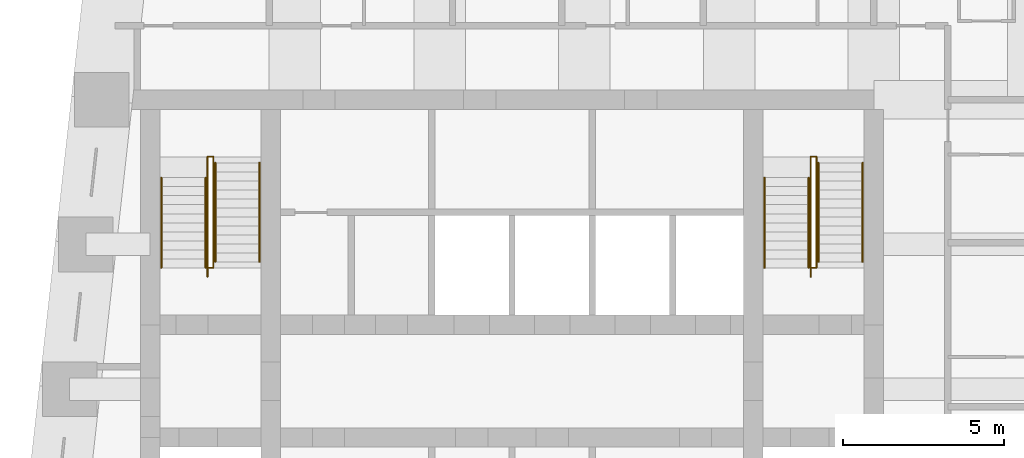
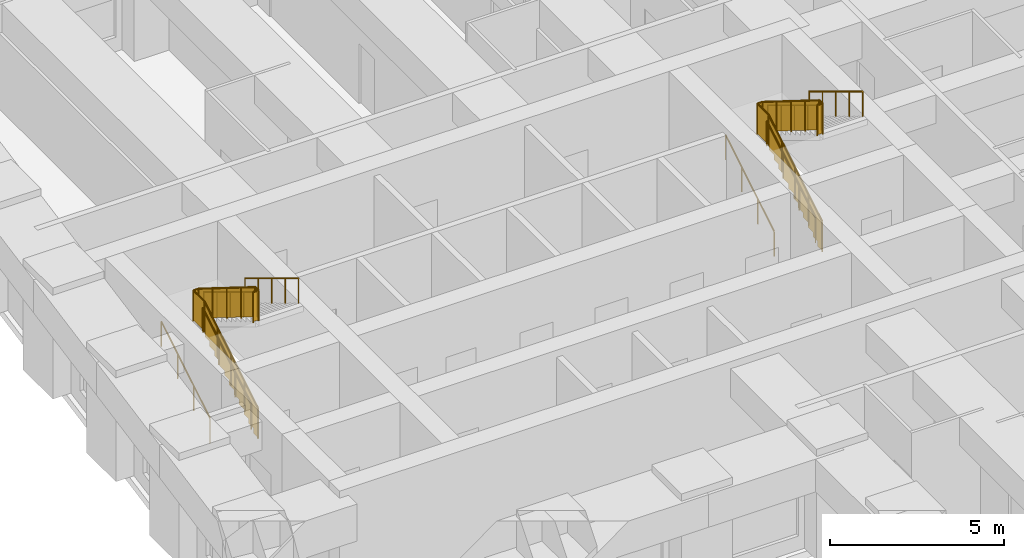
# One storey, part 7 of 7: 12 railings.
"""IFC4 building model written with IfcOpenShell, lengths in metres."""

from ifc_helpers import new_model, si_unit, direction, frame, origin, origin_2d, place, context, subcontext, project, spatial, polyline, circle, outline, extrude, material, type_object, element, save


model = new_model("IFC4")

# Units and contexts
model_context = context("Model", 3, precision=1e-05, world=origin(), true_north=direction((0.0, 1.0)))
body_context = subcontext(model_context, "Body", "Model", "MODEL_VIEW")
ifc_project = project(units=[si_unit("LENGTHUNIT", "METRE"), si_unit("AREAUNIT", "SQUARE_METRE"), si_unit("VOLUMEUNIT", "CUBIC_METRE"), si_unit("PLANEANGLEUNIT", "RADIAN"), si_unit("MASSUNIT", "GRAM", prefix="KILO")], contexts=[model_context])

# Site, building, storey
site_placement = place(None, origin())
site = spatial("IfcSite", under=ifc_project, at=site_placement, CompositionType="ELEMENT")
building_placement = place(site_placement, origin())
building = spatial("IfcBuilding", under=site, at=building_placement, Name="Kilele Tower Hotel", CompositionType="ELEMENT")
storey_placement = place(building_placement, frame((0.0, 0.0, 236.89990234375)))
storey = spatial("IfcBuildingStorey", under=building, at=storey_placement, Name="L61", CompositionType="ELEMENT", Elevation=236.89990234375)

# Railings
ifc_material_1 = material(Name="Steel handrail", Category="steel")
railing_type_1 = type_object("IfcRailingType", Name="Handrail 900", PredefinedType="HANDRAIL", material=ifc_material_1)
for number, where, name in (
    (1, (13.85009765625, 21.77490234375, 0.169677734375), "Handrail ST1 flight 1"),
    (2, (15.22509765625, 21.77490234375, 0.169677734375), "Handrail ST1 flight 1"),
):
    element("IfcRailing", number, at=place(storey_placement, frame(where)), inside=storey, type_object=railing_type_1, Name=name, PredefinedType="HANDRAIL", context=body_context, shape_type="SweptSolid", body=[
        extrude(circle(Radius=0.02490234375, at=origin_2d()), frame((0.0, 0.0, 0.875), z_axis=(0.0, 0.855393119324, 0.517979354234), x_axis=(-1.0, 0.0, 0.0)), (0.0, 0.0, 1.0), 3.2734375),
        extrude(circle(Radius=0.02001953125, at=origin_2d()), origin(), (0.0, 0.0, 1.0), 0.849853515625),
        extrude(circle(Radius=0.02001953125, at=origin_2d()), frame((0.0, 0.933349609375, 0.565185546875)), (0.0, 0.0, 1.0), 0.849853515625),
        extrude(circle(Radius=0.02001953125, at=origin_2d()), frame((0.0, 1.86669921875, 1.13037109375)), (0.0, 0.0, 1.0), 0.849853515625),
        extrude(circle(Radius=0.02001953125, at=origin_2d()), frame((0.0, 2.800048828125, 1.695556640625)), (0.0, 0.0, 1.0), 0.849853515625),
    ])
for number, where, name in (
    (3, (15.52490234375, 25.0400390625, 2.034912109375), "Handrail ST1 flight 2"),
    (4, (16.89990234375, 25.0400390625, 2.034912109375), "Handrail ST1 flight 2"),
):
    element("IfcRailing", number, at=place(storey_placement, frame(where)), inside=storey, type_object=railing_type_1, Name=name, PredefinedType="HANDRAIL", context=body_context, shape_type="SweptSolid", body=[
        extrude(circle(Radius=0.02490234375, at=origin_2d()), frame((0.0, 0.0, 0.875), z_axis=(0.0, -0.855379917629, 0.518001154937), x_axis=(1.0, 0.0, 0.0)), (0.0, 0.0, 1.0), 3.600830078125),
        extrude(circle(Radius=0.02001953125, at=origin_2d()), origin(), (0.0, 0.0, 1.0), 0.849853515625),
        extrude(circle(Radius=0.02001953125, at=origin_2d()), frame((0.0, -0.77001953125, 0.46630859375)), (0.0, 0.0, 1.0), 0.849853515625),
        extrude(circle(Radius=0.02001953125, at=origin_2d()), frame((0.0, -1.5400390625, 0.9326171875)), (0.0, 0.0, 1.0), 0.849853515625),
        extrude(circle(Radius=0.02001953125, at=origin_2d()), frame((0.0, -2.31005859375, 1.39892578125)), (0.0, 0.0, 1.0), 0.849853515625),
        extrude(circle(Radius=0.02001953125, at=origin_2d()), frame((0.0, -3.080078125, 1.865234375)), (0.0, 0.0, 1.0), 0.849853515625),
    ])
for number, where, name in (
    (5, (32.60009765625, 21.77490234375, 0.169677734375), "Handrail ST2 flight 1"),
    (6, (33.97509765625, 21.77490234375, 0.169677734375), "Handrail ST2 flight 1"),
):
    element("IfcRailing", number, at=place(storey_placement, frame(where)), inside=storey, type_object=railing_type_1, Name=name, PredefinedType="HANDRAIL", context=body_context, shape_type="SweptSolid", body=[
        extrude(circle(Radius=0.02490234375, at=origin_2d()), frame((0.0, 0.0, 0.875), z_axis=(0.0, 0.855393119324, 0.517979354234), x_axis=(-1.0, 0.0, 0.0)), (0.0, 0.0, 1.0), 3.2734375),
        extrude(circle(Radius=0.02001953125, at=origin_2d()), origin(), (0.0, 0.0, 1.0), 0.849853515625),
        extrude(circle(Radius=0.02001953125, at=origin_2d()), frame((0.0, 0.933349609375, 0.565185546875)), (0.0, 0.0, 1.0), 0.849853515625),
        extrude(circle(Radius=0.02001953125, at=origin_2d()), frame((0.0, 1.86669921875, 1.13037109375)), (0.0, 0.0, 1.0), 0.849853515625),
        extrude(circle(Radius=0.02001953125, at=origin_2d()), frame((0.0, 2.800048828125, 1.695556640625)), (0.0, 0.0, 1.0), 0.849853515625),
    ])
for number, where, name in (
    (7, (34.27490234375, 25.0400390625, 2.034912109375), "Handrail ST2 flight 2"),
    (8, (35.64990234375, 25.0400390625, 2.034912109375), "Handrail ST2 flight 2"),
):
    element("IfcRailing", number, at=place(storey_placement, frame(where)), inside=storey, type_object=railing_type_1, Name=name, PredefinedType="HANDRAIL", context=body_context, shape_type="SweptSolid", body=[
        extrude(circle(Radius=0.02490234375, at=origin_2d()), frame((0.0, 0.0, 0.875), z_axis=(0.0, -0.855379917629, 0.518001154937), x_axis=(1.0, 0.0, 0.0)), (0.0, 0.0, 1.0), 3.600830078125),
        extrude(circle(Radius=0.02001953125, at=origin_2d()), origin(), (0.0, 0.0, 1.0), 0.849853515625),
        extrude(circle(Radius=0.02001953125, at=origin_2d()), frame((0.0, -0.77001953125, 0.46630859375)), (0.0, 0.0, 1.0), 0.849853515625),
        extrude(circle(Radius=0.02001953125, at=origin_2d()), frame((0.0, -1.5400390625, 0.9326171875)), (0.0, 0.0, 1.0), 0.849853515625),
        extrude(circle(Radius=0.02001953125, at=origin_2d()), frame((0.0, -2.31005859375, 1.39892578125)), (0.0, 0.0, 1.0), 0.849853515625),
        extrude(circle(Radius=0.02001953125, at=origin_2d()), frame((0.0, -3.080078125, 1.865234375)), (0.0, 0.0, 1.0), 0.849853515625),
    ])
ifc_material_2 = material(Name="Steel guard", Category="steel")
railing_type_2 = type_object("IfcRailingType", Name="Stair guard 1100", PredefinedType="GUARDRAIL", material=ifc_material_2)
railing_1_placement = place(storey_placement, frame((15.284912109375, 21.4951171875, 0.0)))
element("IfcRailing", 9, at=railing_1_placement, inside=storey, type_object=railing_type_2, Name="Stair well guard ST1 flight 1", PredefinedType="GUARDRAIL", context=body_context, shape_type="SweptSolid", body=[
    extrude(circle(Radius=0.02490234375, at=origin_2d()), frame((0.0, 0.0, 1.0751953125), z_axis=(0.0, 0.855361723277, 0.518031198243), x_axis=(-1.0, 0.0, 0.0)), (0.0, 0.0, 1.0), 3.6005859375),
    extrude(circle(Radius=0.02490234375, at=origin_2d()), frame((0.0, 3.079833984375, 2.9404296875), z_axis=(0.0, 1.0, 0.0), x_axis=(-1.0, 0.0, 0.0)), (0.0, 0.0, 1.0), 0.650146484375),
    extrude(circle(Radius=0.02490234375, at=origin_2d()), frame((0.0, 3.72998046875, 2.9404296875), z_axis=(1.0, 0.0, 0.0), x_axis=(0.0, 1.0, 0.0)), (0.0, 0.0, 1.0), 0.18017578125),
    extrude(circle(Radius=0.02490234375, at=origin_2d()), origin(), (0.0, 0.0, 1.0), 1.050048828125),
    extrude(circle(Radius=0.02490234375, at=origin_2d()), frame((0.0, 0.77001953125, 0.46630859375)), (0.0, 0.0, 1.0), 1.050048828125),
    extrude(circle(Radius=0.02490234375, at=origin_2d()), frame((0.0, 1.5400390625, 0.9326171875)), (0.0, 0.0, 1.0), 1.050048828125),
    extrude(circle(Radius=0.02490234375, at=origin_2d()), frame((0.0, 2.309814453125, 1.39892578125)), (0.0, 0.0, 1.0), 1.050048828125),
    extrude(circle(Radius=0.02490234375, at=origin_2d()), frame((0.0, 3.079833984375, 1.865234375)), (0.0, 0.0, 1.0), 1.050048828125),
    extrude(circle(Radius=0.02490234375, at=origin_2d()), frame((0.0, 3.72998046875, 1.865234375)), (0.0, 0.0, 1.0), 1.050048828125),
    extrude(circle(Radius=0.02490234375, at=origin_2d()), frame((0.18017578125, 3.72998046875, 1.865234375)), (0.0, 0.0, 1.0), 1.050048828125),
    extrude(outline(polyline([(0.012451171875, 0.030029296875), (0.25, 0.030029296875), (0.25, 0.19970703125), (0.530029296875, 0.19970703125), (0.530029296875, 0.369140625), (0.809814453125, 0.369140625), (0.809814453125, 0.538818359375), (1.08984375, 0.538818359375), (1.08984375, 0.708251953125), (1.369873046875, 0.708251953125), (1.369873046875, 0.8779296875), (1.64990234375, 0.8779296875), (1.64990234375, 1.04736328125), (1.929931640625, 1.04736328125), (1.929931640625, 1.217041015625), (2.2099609375, 1.217041015625), (2.2099609375, 1.386474609375), (2.48974609375, 1.386474609375), (2.48974609375, 1.55615234375), (2.769775390625, 1.55615234375), (2.769775390625, 1.7255859375), (3.0498046875, 1.7255859375), (3.0498046875, 1.895263671875), (3.0673828125, 1.895263671875), (3.0673828125, 2.903564453125), (0.012451171875, 1.053466796875), (0.012451171875, 0.030029296875)])), frame((-0.005859375, 0.0, 0.0), z_axis=(1.0, 0.0, 0.0), x_axis=(0.0, 1.0, 0.0)), (0.0, 0.0, 1.0), 0.011962890625),
    extrude(outline(polyline([(0.012451171875, 0.030029296875), (0.6376953125, 0.030029296875), (0.6376953125, 1.050048828125), (0.012451171875, 1.050048828125), (0.012451171875, 0.030029296875)])), frame((-0.005859375, 3.079833984375, 1.865234375), z_axis=(1.0, 0.0, 0.0), x_axis=(0.0, 1.0, 0.0)), (0.0, 0.0, 1.0), 0.011962890625),
    extrude(outline(polyline([(0.012451171875, 0.030029296875), (0.18017578125, 0.030029296875), (0.18017578125, 1.050048828125), (0.012451171875, 1.050048828125), (0.012451171875, 0.030029296875)])), frame((0.0, 3.73583984375, 1.865234375), z_axis=(0.0, -1.0, 0.0), x_axis=(1.0, 0.0, 0.0)), (0.0, 0.0, 1.0), 0.011962890625),
])
railing_2_placement = place(storey_placement, frame((15.465087890625, 25.22509765625, 1.865234375)))
element("IfcRailing", 10, at=railing_2_placement, inside=storey, type_object=railing_type_2, Name="Stair well guard ST1 flight 2", PredefinedType="GUARDRAIL", context=body_context, shape_type="SweptSolid", body=[
    extrude(circle(Radius=0.02490234375, at=origin_2d()), frame((0.0, 0.0, 1.0751953125), z_axis=(0.0, -0.848674962302, 0.528914745834), x_axis=(1.0, 0.0, 0.0)), (0.0, 0.0, 1.0), 3.847412109375),
    extrude(circle(Radius=0.02490234375, at=origin_2d()), frame((0.0, -3.26513671875, 3.10986328125), z_axis=(0.0, -1.0, 0.0), x_axis=(1.0, 0.0, 0.0)), (0.0, 0.0, 1.0), 0.18505859375),
    extrude(circle(Radius=0.02490234375, at=origin_2d()), frame((0.0, -3.4501953125, 3.10986328125), z_axis=(-1.0, 0.0, 0.0), x_axis=(0.0, -1.0, 0.0)), (0.0, 0.0, 1.0), 0.18017578125),
    extrude(circle(Radius=0.02490234375, at=origin_2d()), origin(), (0.0, 0.0, 1.0), 1.050048828125),
    extrude(circle(Radius=0.02490234375, at=origin_2d()), frame((0.0, -0.81640625, 0.5087890625)), (0.0, 0.0, 1.0), 1.050048828125),
    extrude(circle(Radius=0.02490234375, at=origin_2d()), frame((0.0, -1.632568359375, 1.017578125)), (0.0, 0.0, 1.0), 1.050048828125),
    extrude(circle(Radius=0.02490234375, at=origin_2d()), frame((0.0, -2.44873046875, 1.526123046875)), (0.0, 0.0, 1.0), 1.050048828125),
    extrude(circle(Radius=0.02490234375, at=origin_2d()), frame((0.0, -3.26513671875, 2.034912109375)), (0.0, 0.0, 1.0), 1.050048828125),
    extrude(circle(Radius=0.02490234375, at=origin_2d()), frame((0.0, -3.4501953125, 2.034912109375)), (0.0, 0.0, 1.0), 1.050048828125),
    extrude(circle(Radius=0.02490234375, at=origin_2d()), frame((-0.18017578125, -3.4501953125, 2.034912109375)), (0.0, 0.0, 1.0), 1.050048828125),
    extrude(outline(polyline([(0.0, 0.030029296875), (3.252685546875, 2.05712890625), (3.252685546875, 3.07275390625), (0.0, 1.045654296875), (0.0, 0.030029296875)])), frame((0.005859375, 0.0, 0.0), z_axis=(-1.0, 0.0, 0.0), x_axis=(0.0, -1.0, 0.0)), (0.0, 0.0, 1.0), 0.011962890625),
    extrude(outline(polyline([(0.012451171875, 0.030029296875), (0.172607421875, 0.030029296875), (0.172607421875, 1.050048828125), (0.012451171875, 1.050048828125), (0.012451171875, 0.030029296875)])), frame((0.005859375, -3.26513671875, 2.034912109375), z_axis=(-1.0, 0.0, 0.0), x_axis=(0.0, -1.0, 0.0)), (0.0, 0.0, 1.0), 0.011962890625),
    extrude(outline(polyline([(0.012451171875, 0.030029296875), (0.18017578125, 0.030029296875), (0.18017578125, 1.050048828125), (0.012451171875, 1.050048828125), (0.012451171875, 0.030029296875)])), frame((0.0, -3.4560546875, 2.034912109375), z_axis=(0.0, 1.0, 0.0), x_axis=(-1.0, 0.0, 0.0)), (0.0, 0.0, 1.0), 0.011962890625),
])
railing_3_placement = place(storey_placement, frame((34.034912109375, 21.4951171875, 0.0)))
element("IfcRailing", 11, at=railing_3_placement, inside=storey, type_object=railing_type_2, Name="Stair well guard ST2 flight 1", PredefinedType="GUARDRAIL", context=body_context, shape_type="SweptSolid", body=[
    extrude(circle(Radius=0.02490234375, at=origin_2d()), frame((0.0, 0.0, 1.0751953125), z_axis=(0.0, 0.855361723277, 0.518031198243), x_axis=(-1.0, 0.0, 0.0)), (0.0, 0.0, 1.0), 3.6005859375),
    extrude(circle(Radius=0.02490234375, at=origin_2d()), frame((0.0, 3.079833984375, 2.9404296875), z_axis=(0.0, 1.0, 0.0), x_axis=(-1.0, 0.0, 0.0)), (0.0, 0.0, 1.0), 0.650146484375),
    extrude(circle(Radius=0.02490234375, at=origin_2d()), frame((0.0, 3.72998046875, 2.9404296875), z_axis=(1.0, 0.0, 0.0), x_axis=(0.0, 1.0, 0.0)), (0.0, 0.0, 1.0), 0.18017578125),
    extrude(circle(Radius=0.02490234375, at=origin_2d()), origin(), (0.0, 0.0, 1.0), 1.050048828125),
    extrude(circle(Radius=0.02490234375, at=origin_2d()), frame((0.0, 0.77001953125, 0.46630859375)), (0.0, 0.0, 1.0), 1.050048828125),
    extrude(circle(Radius=0.02490234375, at=origin_2d()), frame((0.0, 1.5400390625, 0.9326171875)), (0.0, 0.0, 1.0), 1.050048828125),
    extrude(circle(Radius=0.02490234375, at=origin_2d()), frame((0.0, 2.309814453125, 1.39892578125)), (0.0, 0.0, 1.0), 1.050048828125),
    extrude(circle(Radius=0.02490234375, at=origin_2d()), frame((0.0, 3.079833984375, 1.865234375)), (0.0, 0.0, 1.0), 1.050048828125),
    extrude(circle(Radius=0.02490234375, at=origin_2d()), frame((0.0, 3.72998046875, 1.865234375)), (0.0, 0.0, 1.0), 1.050048828125),
    extrude(circle(Radius=0.02490234375, at=origin_2d()), frame((0.18017578125, 3.72998046875, 1.865234375)), (0.0, 0.0, 1.0), 1.050048828125),
    extrude(outline(polyline([(0.012451171875, 0.030029296875), (0.25, 0.030029296875), (0.25, 0.19970703125), (0.530029296875, 0.19970703125), (0.530029296875, 0.369140625), (0.809814453125, 0.369140625), (0.809814453125, 0.538818359375), (1.08984375, 0.538818359375), (1.08984375, 0.708251953125), (1.369873046875, 0.708251953125), (1.369873046875, 0.8779296875), (1.64990234375, 0.8779296875), (1.64990234375, 1.04736328125), (1.929931640625, 1.04736328125), (1.929931640625, 1.217041015625), (2.2099609375, 1.217041015625), (2.2099609375, 1.386474609375), (2.48974609375, 1.386474609375), (2.48974609375, 1.55615234375), (2.769775390625, 1.55615234375), (2.769775390625, 1.7255859375), (3.0498046875, 1.7255859375), (3.0498046875, 1.895263671875), (3.0673828125, 1.895263671875), (3.0673828125, 2.903564453125), (0.012451171875, 1.053466796875), (0.012451171875, 0.030029296875)])), frame((-0.005859375, 0.0, 0.0), z_axis=(1.0, 0.0, 0.0), x_axis=(0.0, 1.0, 0.0)), (0.0, 0.0, 1.0), 0.011962890625),
    extrude(outline(polyline([(0.012451171875, 0.030029296875), (0.6376953125, 0.030029296875), (0.6376953125, 1.050048828125), (0.012451171875, 1.050048828125), (0.012451171875, 0.030029296875)])), frame((-0.005859375, 3.079833984375, 1.865234375), z_axis=(1.0, 0.0, 0.0), x_axis=(0.0, 1.0, 0.0)), (0.0, 0.0, 1.0), 0.011962890625),
    extrude(outline(polyline([(0.012451171875, 0.030029296875), (0.18017578125, 0.030029296875), (0.18017578125, 1.050048828125), (0.012451171875, 1.050048828125), (0.012451171875, 0.030029296875)])), frame((0.0, 3.73583984375, 1.865234375), z_axis=(0.0, -1.0, 0.0), x_axis=(1.0, 0.0, 0.0)), (0.0, 0.0, 1.0), 0.011962890625),
])
railing_4_placement = place(storey_placement, frame((34.215087890625, 25.22509765625, 1.865234375)))
element("IfcRailing", 12, at=railing_4_placement, inside=storey, type_object=railing_type_2, Name="Stair well guard ST2 flight 2", PredefinedType="GUARDRAIL", context=body_context, shape_type="SweptSolid", body=[
    extrude(circle(Radius=0.02490234375, at=origin_2d()), frame((0.0, 0.0, 1.0751953125), z_axis=(0.0, -0.848674962302, 0.528914745834), x_axis=(1.0, 0.0, 0.0)), (0.0, 0.0, 1.0), 3.847412109375),
    extrude(circle(Radius=0.02490234375, at=origin_2d()), frame((0.0, -3.26513671875, 3.10986328125), z_axis=(0.0, -1.0, 0.0), x_axis=(1.0, 0.0, 0.0)), (0.0, 0.0, 1.0), 0.18505859375),
    extrude(circle(Radius=0.02490234375, at=origin_2d()), frame((0.0, -3.4501953125, 3.10986328125), z_axis=(-1.0, 0.0, 0.0), x_axis=(0.0, -1.0, 0.0)), (0.0, 0.0, 1.0), 0.18017578125),
    extrude(circle(Radius=0.02490234375, at=origin_2d()), origin(), (0.0, 0.0, 1.0), 1.050048828125),
    extrude(circle(Radius=0.02490234375, at=origin_2d()), frame((0.0, -0.81640625, 0.5087890625)), (0.0, 0.0, 1.0), 1.050048828125),
    extrude(circle(Radius=0.02490234375, at=origin_2d()), frame((0.0, -1.632568359375, 1.017578125)), (0.0, 0.0, 1.0), 1.050048828125),
    extrude(circle(Radius=0.02490234375, at=origin_2d()), frame((0.0, -2.44873046875, 1.526123046875)), (0.0, 0.0, 1.0), 1.050048828125),
    extrude(circle(Radius=0.02490234375, at=origin_2d()), frame((0.0, -3.26513671875, 2.034912109375)), (0.0, 0.0, 1.0), 1.050048828125),
    extrude(circle(Radius=0.02490234375, at=origin_2d()), frame((0.0, -3.4501953125, 2.034912109375)), (0.0, 0.0, 1.0), 1.050048828125),
    extrude(circle(Radius=0.02490234375, at=origin_2d()), frame((-0.18017578125, -3.4501953125, 2.034912109375)), (0.0, 0.0, 1.0), 1.050048828125),
    extrude(outline(polyline([(0.0, 0.030029296875), (3.252685546875, 2.05712890625), (3.252685546875, 3.07275390625), (0.0, 1.045654296875), (0.0, 0.030029296875)])), frame((0.005859375, 0.0, 0.0), z_axis=(-1.0, 0.0, 0.0), x_axis=(0.0, -1.0, 0.0)), (0.0, 0.0, 1.0), 0.011962890625),
    extrude(outline(polyline([(0.012451171875, 0.030029296875), (0.172607421875, 0.030029296875), (0.172607421875, 1.050048828125), (0.012451171875, 1.050048828125), (0.012451171875, 0.030029296875)])), frame((0.005859375, -3.26513671875, 2.034912109375), z_axis=(-1.0, 0.0, 0.0), x_axis=(0.0, -1.0, 0.0)), (0.0, 0.0, 1.0), 0.011962890625),
    extrude(outline(polyline([(0.012451171875, 0.030029296875), (0.18017578125, 0.030029296875), (0.18017578125, 1.050048828125), (0.012451171875, 1.050048828125), (0.012451171875, 0.030029296875)])), frame((0.0, -3.4560546875, 2.034912109375), z_axis=(0.0, 1.0, 0.0), x_axis=(-1.0, 0.0, 0.0)), (0.0, 0.0, 1.0), 0.011962890625),
])

save(model, "model.ifc")
